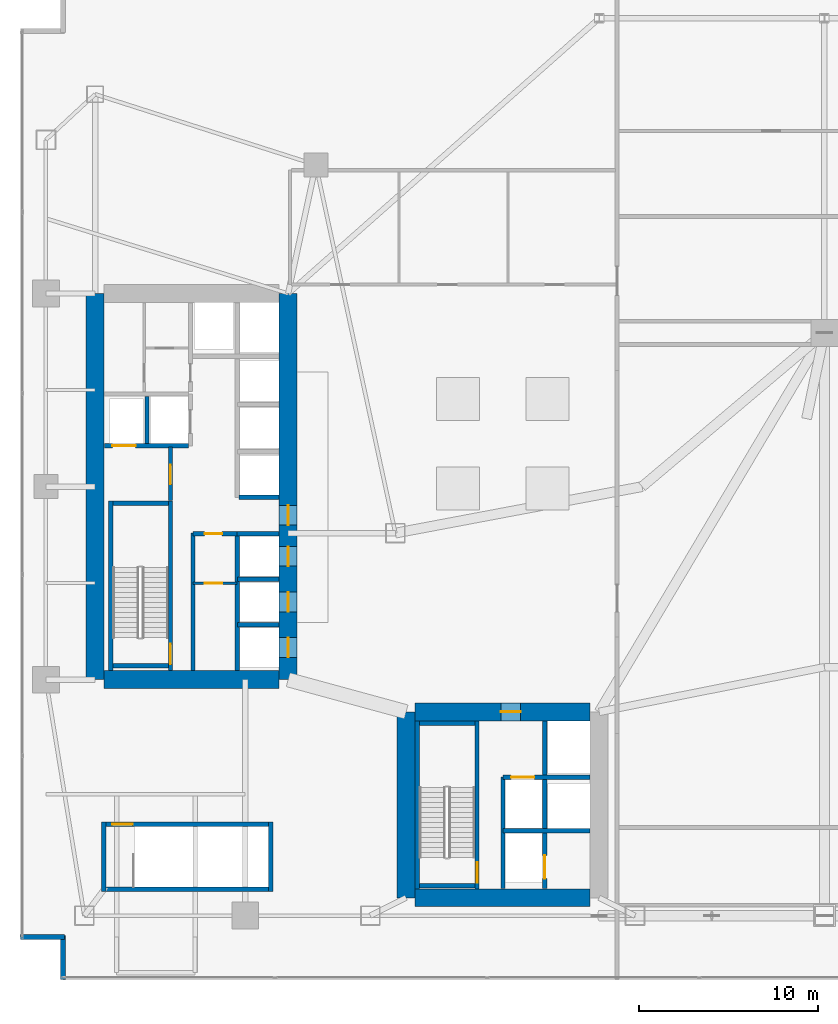
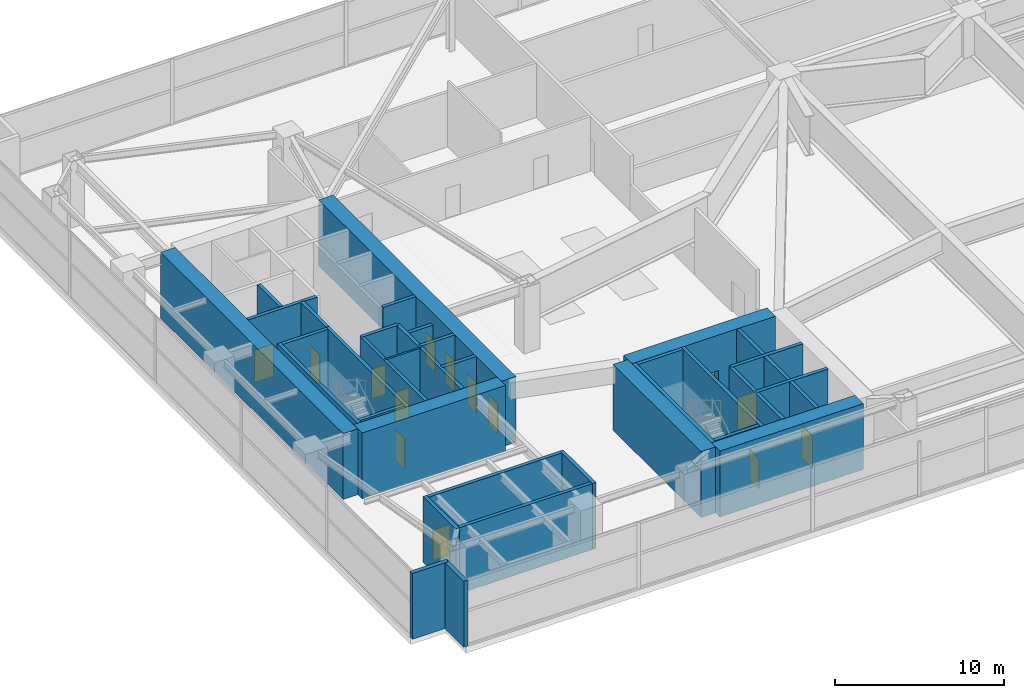
# One storey, part 31 of 36: 35 walls, 14 doors, 14 openings.
"""IFC4 building model written with IfcOpenShell, lengths in metres."""

import ifcopenshell
import ifcopenshell.guid

model = None  # the IFC model being written
_history = None  # IfcOwnerHistory: only IFC2X3 demands one
_inside = {}  # id of a spatial element -> (the spatial element, [elements in it])
_under = {}  # id of a project, library or spatial element -> (it, [spatial elements below it])
_declared = {}  # id of a project -> (the project, [libraries it declares])
_typed = {}  # id of a type object -> (the type object, [elements of that type])
_made_of = {}  # id of a material, layer set ... -> (it, [elements and type objects made of it])


def new_model(schema):
    """Start an empty IFC model of exactly this schema.

    Asked for "IFC4X3", IfcOpenShell would pick the latest addendum, in which some entities
    have other attributes; the version numbers below select the first issue.
    IFC2X3 requires an IfcOwnerHistory on every rooted entity: one is made here for all.
    """
    global model, _history
    if schema == "IFC4X3":
        model = ifcopenshell.file(schema_version=(4, 3, 0, 0))
    else:
        model = ifcopenshell.file(schema=schema)
    _inside.clear()
    _under.clear()
    _declared.clear()
    _typed.clear()
    _made_of.clear()
    _history = None
    if model.schema == "IFC2X3":
        org = make("IfcOrganization", Name="unknown")
        user = make(
            "IfcPersonAndOrganization",
            ThePerson=make("IfcPerson", FamilyName="unknown"),
            TheOrganization=org,
        )
        app = make(
            "IfcApplication",
            ApplicationDeveloper=org,
            Version="unknown",
            ApplicationFullName="unknown",
            ApplicationIdentifier="unknown",
        )
        _history = make(
            "IfcOwnerHistory",
            OwningUser=user,
            OwningApplication=app,
            ChangeAction="ADDED",
            CreationDate=0,
        )
    return model


def make(cls, **values):
    """One entity of the class cls with the attributes given. An attribute that is None is left unset."""
    return model.create_entity(
        cls, **{name: value for name, value in values.items() if value is not None}
    )


def rooted(cls, **values):
    """An entity with a GlobalId (a new one), such as an element, a storey or a relation."""
    return make(cls, GlobalId=ifcopenshell.guid.new(), OwnerHistory=_history, **values)


def si_unit(unit_type, name, prefix=None):
    """IfcSIUnit, for example si_unit("LENGTHUNIT", "METRE", prefix="MILLI")."""
    return make("IfcSIUnit", UnitType=unit_type, Prefix=prefix, Name=name)


def assignment(units):
    """IfcUnitAssignment: the units of a project."""
    return None if units is None else make("IfcUnitAssignment", Units=units)


def point(xyz):
    """IfcCartesianPoint."""
    return None if xyz is None else make("IfcCartesianPoint", Coordinates=xyz)


def direction(xyz):
    """IfcDirection."""
    return None if xyz is None else make("IfcDirection", DirectionRatios=xyz)


def frame(location, z_axis=None, x_axis=None):
    """IfcAxis2Placement3D, a coordinate frame: its origin and axes. An axis left out is left unset."""
    return make(
        "IfcAxis2Placement3D",
        Location=point(location),
        Axis=direction(z_axis),
        RefDirection=direction(x_axis),
    )


def frame_2d(location, x_axis=None):
    """IfcAxis2Placement2D, a coordinate frame in the plane: its origin and x axis."""
    return make(
        "IfcAxis2Placement2D", Location=point(location), RefDirection=direction(x_axis)
    )


def origin():
    """The frame at (0, 0, 0) with its axes left unset."""
    return frame((0.0, 0.0, 0.0))


def place(relative_to, where):
    """IfcLocalPlacement: puts the frame where relative to a parent placement (None: the world)."""
    return make(
        "IfcLocalPlacement", PlacementRelTo=relative_to, RelativePlacement=where
    )


def context(
    kind, dimensions, precision=None, world=None, true_north=None, identifier=None
):
    """IfcGeometricRepresentationContext, for example the 3D "Model" context."""
    return make(
        "IfcGeometricRepresentationContext",
        ContextIdentifier=identifier,
        ContextType=kind,
        CoordinateSpaceDimension=dimensions,
        Precision=precision,
        WorldCoordinateSystem=world,
        TrueNorth=true_north,
    )


def subcontext(parent, identifier, kind, view, scale=None):
    """IfcGeometricRepresentationSubContext, for example "Body" below "Model"."""
    return make(
        "IfcGeometricRepresentationSubContext",
        ContextIdentifier=identifier,
        ContextType=kind,
        ParentContext=parent,
        TargetScale=scale,
        TargetView=view,
    )


def project(units=None, contexts=None):
    """IfcProject with its units and contexts."""
    return rooted(
        "IfcProject",
        Name="project",
        RepresentationContexts=contexts,
        UnitsInContext=assignment(units),
    )


def spatial(cls, under=None, at=None, **own):
    """A site, building, storey or space (cls), placed at a placement, below another one or the project."""
    s = rooted(cls, ObjectPlacement=at, **own)
    if under is not None:
        _under.setdefault(under.id(), (under, []))[1].append(s)
    return s


def profile(cls, at=None, kind="AREA", **sizes):
    """A parametric profile (cls). Its sizes go by their IFC names, for example OverallWidth=200.0."""
    return make(cls, ProfileType=kind, Position=at, **sizes)


def rectangle(**sizes):
    """IfcRectangleProfileDef."""
    return profile("IfcRectangleProfileDef", **sizes)


def extrude(swept, where, along, depth):
    """IfcExtrudedAreaSolid: the profile swept, set in the frame where, extruded along a direction by depth."""
    return make(
        "IfcExtrudedAreaSolid",
        SweptArea=swept,
        Position=where,
        ExtrudedDirection=direction(along),
        Depth=depth,
    )


def shape(context_of_items, identifier, shape_type, items):
    """IfcShapeRepresentation: the items that make up one representation, for example the "Body"."""
    return make(
        "IfcShapeRepresentation",
        ContextOfItems=context_of_items,
        RepresentationIdentifier=identifier,
        RepresentationType=shape_type,
        Items=items,
    )


def material(Name=None, Category=None):
    """IfcMaterial."""
    return make("IfcMaterial", Name=Name, Category=Category)


def layer(
    of_material, thickness, ventilated=None, Name=None, Category=None, Priority=None
):
    """IfcMaterialLayer: one layer of a wall or slab, of a material (None: an air gap)."""
    return make(
        "IfcMaterialLayer",
        Material=of_material,
        LayerThickness=thickness,
        IsVentilated=ventilated,
        Name=Name,
        Category=Category,
        Priority=Priority,
    )


def layer_set(layers, Name=None):
    """IfcMaterialLayerSet."""
    return make("IfcMaterialLayerSet", MaterialLayers=layers, LayerSetName=Name)


def made_of(thing, what):
    """Note that an element or type object is made of a material, layer set ...; save() writes the relation."""
    if what is not None:
        _made_of.setdefault(what.id(), (what, []))[1].append(thing)
    return thing


def type_object(cls, material=None, **own):
    """A type object (cls), such as IfcWallType, which elements share."""
    return made_of(rooted(cls, **own), material)


def element(
    cls,
    number,
    at=None,
    inside=None,
    cuts=None,
    type_object=None,
    material=None,
    context=None,
    identifier="Body",
    shape_type=None,
    held_by="IfcProductDefinitionShape",
    body=None,
    shapes=None,
    **own,
):
    """One element of the class cls, such as IfcWall. Its Tag is "e" and its number.

    at: its placement. inside: the storey or other place that contains it. cuts: it is an
    opening in that element (IfcRelVoidsElement). A single representation is given by context,
    identifier, shape_type and body (its items); several are given by shapes. held_by: the class
    of the entity that holds the representations. save() writes the other relations.
    """
    e = rooted(cls, Tag="e%d" % number, ObjectPlacement=at, **own)
    if body is not None:
        shapes = [shape(context, identifier, shape_type, body)]
    if shapes is not None:
        e.Representation = make(held_by, Representations=shapes)
    if inside is not None:
        _inside.setdefault(inside.id(), (inside, []))[1].append(e)
    if cuts is not None:
        rooted(
            "IfcRelVoidsElement", RelatingBuildingElement=cuts, RelatedOpeningElement=e
        )
    if type_object is not None:
        _typed.setdefault(type_object.id(), (type_object, []))[1].append(e)
    return made_of(e, material)


def fill(opening, filler):
    """IfcRelFillsElement: the door or window that sits in an opening."""
    return rooted(
        "IfcRelFillsElement",
        RelatingOpeningElement=opening,
        RelatedBuildingElement=filler,
    )


def aggregate(whole, parts):
    """IfcRelAggregates: a whole, such as a stair, and the parts it consists of."""
    return rooted("IfcRelAggregates", RelatingObject=whole, RelatedObjects=parts)


def save(model, path):
    """Write the relations noted so far, then the file.

    IfcRelAggregates (storeys below a building ...), IfcRelContainedInSpatialStructure (elements
    in a storey), IfcRelDefinesByType, IfcRelAssociatesMaterial and IfcRelDeclares: one each for
    every whole, place, type object, material and project.
    """
    for whole, parts in _under.values():
        aggregate(whole, parts)
    for where, things in _inside.values():
        rooted(
            "IfcRelContainedInSpatialStructure",
            RelatedElements=things,
            RelatingStructure=where,
        )
    for kind, things in _typed.values():
        rooted("IfcRelDefinesByType", RelatedObjects=things, RelatingType=kind)
    for what, things in _made_of.values():
        rooted("IfcRelAssociatesMaterial", RelatedObjects=things, RelatingMaterial=what)
    for by, libraries in _declared.values():
        rooted("IfcRelDeclares", RelatingContext=by, RelatedDefinitions=libraries)
    model.write(path)


model = new_model("IFC4")

# Units and contexts
model_context = context("Model", 3, precision=1e-05, world=origin(), true_north=direction((0.0, 1.0)))
body_context = subcontext(model_context, "Body", "Model", "MODEL_VIEW")
ifc_project = project(units=[si_unit("LENGTHUNIT", "METRE"), si_unit("AREAUNIT", "SQUARE_METRE"), si_unit("VOLUMEUNIT", "CUBIC_METRE"), si_unit("PLANEANGLEUNIT", "RADIAN"), si_unit("MASSUNIT", "GRAM", prefix="KILO")], contexts=[model_context])

# Site, building, storey
site_placement = place(None, origin())
site = spatial("IfcSite", under=ifc_project, at=site_placement, CompositionType="ELEMENT")
building_placement = place(site_placement, origin())
building = spatial("IfcBuilding", under=site, at=building_placement, Name="Calvorn Quay Hotel", CompositionType="ELEMENT")
storey_placement = place(building_placement, frame((0.0, 0.0, 22.0)))
storey = spatial("IfcBuildingStorey", under=building, at=storey_placement, Name="L04", CompositionType="ELEMENT", Elevation=22.0)

# Wall
ifc_material_1 = material(Name="Concrete C60", Category="concrete")
ifc_layer_1 = layer(ifc_material_1, 1.0)
ifc_layer_set_1 = layer_set([ifc_layer_1], Name="WL-CORE-1000")
wall_type_1 = type_object("IfcWallType", Name="WL-CORE-1000", PredefinedType="SHEAR", material=ifc_layer_set_1)
wall_1_placement = place(storey_placement, frame((4.199951171875, 16.800048828125, 0.0), z_axis=(0.0, 0.0, 1.0), x_axis=(0.0, 1.0, 0.0)))
element("IfcWall", 1, at=wall_1_placement, inside=storey, type_object=wall_type_1, Name="West Core Shear Wall W (L04)", PredefinedType="SHEAR", context=body_context, shape_type="SweptSolid", body=[
    extrude(rectangle(XDim=21.599853515625, YDim=1.0, at=frame_2d((10.7998046875, 0.0))), origin(), (0.0, 0.0, 1.0), 4.760009765625),
])

# Wall, openings, doors
wall_2_placement = place(storey_placement, frame((15.0, 16.800048828125, 0.0), z_axis=(0.0, 0.0, 1.0), x_axis=(0.0, 1.0, 0.0)))
wall_2 = element("IfcWall", 2, at=wall_2_placement, inside=storey, type_object=wall_type_1, Name="West Core Shear Wall E (L04)", PredefinedType="SHEAR", context=body_context, shape_type="SweptSolid", body=[
    extrude(rectangle(XDim=21.599853515625, YDim=1.0, at=frame_2d((10.7998046875, 0.0))), origin(), (0.0, 0.0, 1.0), 4.760009765625),
])
opening_1_placement = place(wall_2_placement, frame((8.64990234375, 0.0, 0.0)))
opening_1 = element("IfcOpeningElement", 3, at=opening_1_placement, cuts=wall_2, Name="Opening D-L04-CW1", PredefinedType="OPENING", context=body_context, shape_type="SweptSolid", body=[
    extrude(rectangle(XDim=1.10009765625, YDim=2.199951171875, at=frame_2d((0.550048828125, 1.10009765625))), frame((0.0, 0.510009765625, 0.0), z_axis=(0.0, -1.0, 0.0), x_axis=(1.0, 0.0, 0.0)), (0.0, 0.0, 1.0), 1.02001953125),
])
opening_2_placement = place(wall_2_placement, frame((1.25, 0.0, 0.0)))
opening_2 = element("IfcOpeningElement", 4, at=opening_2_placement, cuts=wall_2, Name="Opening LD-L04-L1", PredefinedType="OPENING", context=body_context, shape_type="SweptSolid", body=[
    extrude(rectangle(XDim=1.10009765625, YDim=2.199951171875, at=frame_2d((0.550048828125, 1.10009765625))), frame((0.0, 0.510009765625, 0.0), z_axis=(0.0, -1.0, 0.0), x_axis=(1.0, 0.0, 0.0)), (0.0, 0.0, 1.0), 1.02001953125),
])
opening_3_placement = place(wall_2_placement, frame((3.800048828125, 0.0, 0.0)))
opening_3 = element("IfcOpeningElement", 5, at=opening_3_placement, cuts=wall_2, Name="Opening LD-L04-L2", PredefinedType="OPENING", context=body_context, shape_type="SweptSolid", body=[
    extrude(rectangle(XDim=1.10009765625, YDim=2.199951171875, at=frame_2d((0.550048828125, 1.10009765625))), frame((0.0, 0.510009765625, 0.0), z_axis=(0.0, -1.0, 0.0), x_axis=(1.0, 0.0, 0.0)), (0.0, 0.0, 1.0), 1.02001953125),
])
opening_4_placement = place(wall_2_placement, frame((6.35009765625, 0.0, 0.0)))
opening_4 = element("IfcOpeningElement", 6, at=opening_4_placement, cuts=wall_2, Name="Opening LD-L04-L3", PredefinedType="OPENING", context=body_context, shape_type="SweptSolid", body=[
    extrude(rectangle(XDim=1.10009765625, YDim=2.199951171875, at=frame_2d((0.550048828125, 1.10009765625))), frame((0.0, 0.510009765625, 0.0), z_axis=(0.0, -1.0, 0.0), x_axis=(1.0, 0.0, 0.0)), (0.0, 0.0, 1.0), 1.02001953125),
])
ifc_material_2 = material(Name="Smoke-Sealed Steel Class A Fire Door", Category="steel")
door_type_1 = type_object("IfcDoorType", Name="DR-FFLOBBY-1100", OperationType="NOTDEFINED", PredefinedType="DOOR", material=ifc_material_2)
door_1_placement = place(opening_1_placement, origin())
door_1 = element("IfcDoor", 7, at=door_1_placement, inside=storey, type_object=door_type_1, Name="West Core Vestibule Fire Door (L04)", OperationType="SINGLE_SWING_LEFT", OverallHeight=2.199951171875, OverallWidth=1.10009765625, PredefinedType="DOOR", context=body_context, shape_type="SweptSolid", body=[
    extrude(rectangle(XDim=1.10009765625, YDim=2.199951171875, at=frame_2d((0.550048828125, 1.10009765625))), frame((0.0, 0.02490234375, 0.0), z_axis=(0.0, -1.0, 0.0), x_axis=(1.0, 0.0, 0.0)), (0.0, 0.0, 1.0), 0.050048828125),
])
fill(opening_1, door_1)
ifc_material_3 = material(Name="Brushed Stainless Steel Sliding Lift Landing Door", Category="steel")
door_type_2 = type_object("IfcDoorType", Name="DR-LIFT-PASS-1100", OperationType="NOTDEFINED", PredefinedType="DOOR", material=ifc_material_3)
door_2_placement = place(opening_2_placement, origin())
door_2 = element("IfcDoor", 8, at=door_2_placement, inside=storey, type_object=door_type_2, Name="Low-Rise Lift PL-L1 Landing Door (L04)", OperationType="DOUBLE_DOOR_SLIDING", OverallHeight=2.199951171875, OverallWidth=1.10009765625, PredefinedType="DOOR", context=body_context, shape_type="SweptSolid", body=[
    extrude(rectangle(XDim=1.10009765625, YDim=2.199951171875, at=frame_2d((0.550048828125, 1.10009765625))), frame((0.0, 0.02490234375, 0.0), z_axis=(0.0, -1.0, 0.0), x_axis=(1.0, 0.0, 0.0)), (0.0, 0.0, 1.0), 0.050048828125),
])
fill(opening_2, door_2)
door_3_placement = place(opening_3_placement, origin())
door_3 = element("IfcDoor", 9, at=door_3_placement, inside=storey, type_object=door_type_2, Name="Low-Rise Lift PL-L2 Landing Door (L04)", OperationType="DOUBLE_DOOR_SLIDING", OverallHeight=2.199951171875, OverallWidth=1.10009765625, PredefinedType="DOOR", context=body_context, shape_type="SweptSolid", body=[
    extrude(rectangle(XDim=1.10009765625, YDim=2.199951171875, at=frame_2d((0.550048828125, 1.10009765625))), frame((0.0, 0.02490234375, 0.0), z_axis=(0.0, -1.0, 0.0), x_axis=(1.0, 0.0, 0.0)), (0.0, 0.0, 1.0), 0.050048828125),
])
fill(opening_3, door_3)
door_4_placement = place(opening_4_placement, origin())
door_4 = element("IfcDoor", 10, at=door_4_placement, inside=storey, type_object=door_type_2, Name="Low-Rise Lift PL-L3 Landing Door (L04)", OperationType="DOUBLE_DOOR_SLIDING", OverallHeight=2.199951171875, OverallWidth=1.10009765625, PredefinedType="DOOR", context=body_context, shape_type="SweptSolid", body=[
    extrude(rectangle(XDim=1.10009765625, YDim=2.199951171875, at=frame_2d((0.550048828125, 1.10009765625))), frame((0.0, 0.02490234375, 0.0), z_axis=(0.0, -1.0, 0.0), x_axis=(1.0, 0.0, 0.0)), (0.0, 0.0, 1.0), 0.050048828125),
])
fill(opening_4, door_4)

# Walls
wall_3_placement = place(storey_placement, frame((4.699951171875, 16.800048828125, 0.0), z_axis=(0.0, 0.0, 1.0), x_axis=(1.0, 0.0, 0.0)))
element("IfcWall", 11, at=wall_3_placement, inside=storey, type_object=wall_type_1, Name="West Core Shear Wall S (L04)", PredefinedType="SHEAR", context=body_context, shape_type="SweptSolid", body=[
    extrude(rectangle(XDim=9.800048828125, YDim=1.0, at=frame_2d((4.89990234375, 0.0))), origin(), (0.0, 0.0, 1.0), 4.760009765625),
])
wall_4_placement = place(storey_placement, frame((21.60009765625, 4.60009765625, 0.0), z_axis=(0.0, 0.0, 1.0), x_axis=(0.0, 1.0, 0.0)))
element("IfcWall", 12, at=wall_4_placement, inside=storey, type_object=wall_type_1, Name="East Core Shear Wall W (L04)", PredefinedType="SHEAR", context=body_context, shape_type="SweptSolid", body=[
    extrude(rectangle(XDim=10.39990234375, YDim=1.0, at=frame_2d((5.199951171875, 0.0))), origin(), (0.0, 0.0, 1.0), 4.760009765625),
])

# Wall, opening, door
wall_5_placement = place(storey_placement, frame((22.10009765625, 15.0, 0.0), z_axis=(0.0, 0.0, 1.0), x_axis=(1.0, 0.0, 0.0)))
wall_5 = element("IfcWall", 13, at=wall_5_placement, inside=storey, type_object=wall_type_1, Name="East Core Shear Wall N (L04)", PredefinedType="SHEAR", context=body_context, shape_type="SweptSolid", body=[
    extrude(rectangle(XDim=9.7998046875, YDim=1.0, at=frame_2d((4.89990234375, 0.0))), origin(), (0.0, 0.0, 1.0), 4.760009765625),
])
opening_5_placement = place(wall_5_placement, frame((4.800048828125, 0.0, 0.0)))
opening_5 = element("IfcOpeningElement", 14, at=opening_5_placement, cuts=wall_5, Name="Opening D-L04-FLE", PredefinedType="OPENING", context=body_context, shape_type="SweptSolid", body=[
    extrude(rectangle(XDim=1.10009765625, YDim=2.199951171875, at=frame_2d((0.550048828125, 1.10009765625))), frame((0.0, 0.510009765625, 0.0), z_axis=(0.0, -1.0, 0.0), x_axis=(1.0, 0.0, 0.0)), (0.0, 0.0, 1.0), 1.02001953125),
])
door_5_placement = place(opening_5_placement, origin())
door_5 = element("IfcDoor", 15, at=door_5_placement, inside=storey, type_object=door_type_1, Name="East Firefighting Lobby Fire Door (L04)", OperationType="SINGLE_SWING_RIGHT", OverallHeight=2.199951171875, OverallWidth=1.10009765625, PredefinedType="DOOR", context=body_context, shape_type="SweptSolid", body=[
    extrude(rectangle(XDim=1.10009765625, YDim=2.199951171875, at=frame_2d((0.550048828125, 1.10009765625))), frame((0.0, 0.02490234375, 0.0), z_axis=(0.0, -1.0, 0.0), x_axis=(1.0, 0.0, 0.0)), (0.0, 0.0, 1.0), 0.050048828125),
])
fill(opening_5, door_5)

# Wall
wall_6_placement = place(storey_placement, frame((22.10009765625, 4.60009765625, 0.0), z_axis=(0.0, 0.0, 1.0), x_axis=(1.0, 0.0, 0.0)))
element("IfcWall", 16, at=wall_6_placement, inside=storey, type_object=wall_type_1, Name="East Core Shear Wall S (L04)", PredefinedType="SHEAR", context=body_context, shape_type="SweptSolid", body=[
    extrude(rectangle(XDim=9.7998046875, YDim=1.0, at=frame_2d((4.89990234375, 0.0))), origin(), (0.0, 0.0, 1.0), 4.760009765625),
])

# Wall, opening, door
ifc_material_4 = material(Name="Moisture-Resistant Tile-Backed Partition")
ifc_layer_2 = layer(ifc_material_4, 0.125)
ifc_layer_set_2 = layer_set([ifc_layer_2], Name="WL-ENSUITE-125")
wall_type_2 = type_object("IfcWallType", Name="WL-ENSUITE-125", PredefinedType="PARTITIONING", material=ifc_layer_set_2)
wall_7_placement = place(storey_placement, frame((9.679931640625, 22.199951171875, 0.0), z_axis=(0.0, 0.0, 1.0), x_axis=(1.0, 0.0, 0.0)))
wall_7 = element("IfcWall", 17, at=wall_7_placement, inside=storey, type_object=wall_type_2, Name="Partition Wall L04-WL-CWW-SER-V", PredefinedType="PARTITIONING", context=body_context, shape_type="SweptSolid", body=[
    extrude(rectangle(XDim=2.469970703125, YDim=0.125, at=frame_2d((1.23486328125, 0.0))), origin(), (0.0, 0.0, 1.0), 4.760009765625),
])
opening_6_placement = place(wall_7_placement, frame((0.64990234375, 0.0, 0.0)))
opening_6 = element("IfcOpeningElement", 18, at=opening_6_placement, cuts=wall_7, Name="Opening D-L04-CSV", PredefinedType="OPENING", context=body_context, shape_type="SweptSolid", body=[
    extrude(rectangle(XDim=0.97998046875, YDim=2.14990234375, at=frame_2d((0.489990234375, 1.074951171875))), frame((0.0, 0.072509765625, 0.0), z_axis=(0.0, -1.0, 0.0), x_axis=(1.0, 0.0, 0.0)), (0.0, 0.0, 1.0), 0.14501953125),
])
ifc_material_5 = material(Name="Painted Steel Housekeeping/Riser Fire Door", Category="steel")
door_type_3 = type_object("IfcDoorType", Name="DR-SERVICE-980", OperationType="NOTDEFINED", PredefinedType="DOOR", material=ifc_material_5)
door_6_placement = place(opening_6_placement, origin())
door_6 = element("IfcDoor", 19, at=door_6_placement, inside=storey, type_object=door_type_3, Name="Core Linen Closet Door (L04)", OperationType="SINGLE_SWING_RIGHT", OverallHeight=2.14990234375, OverallWidth=0.97998046875, PredefinedType="DOOR", context=body_context, shape_type="SweptSolid", body=[
    extrude(rectangle(XDim=0.97998046875, YDim=2.14990234375, at=frame_2d((0.489990234375, 1.074951171875))), frame((0.0, 0.02490234375, 0.0), z_axis=(0.0, -1.0, 0.0), x_axis=(1.0, 0.0, 0.0)), (0.0, 0.0, 1.0), 0.050048828125),
])
fill(opening_6, door_6)

# Walls
ifc_material_6 = material(Name="Concrete C40", Category="concrete")
ifc_layer_3 = layer(ifc_material_6, 0.320068359375)
ifc_layer_set_3 = layer_set([ifc_layer_3], Name="WL-EXT-SPANDREL-320")
wall_type_3 = type_object("IfcWallType", Name="WL-EXT-SPANDREL-320", PredefinedType="SOLIDWALL", material=ifc_layer_set_3)
for number, where, z_axis, x_axis, name in (
    (20, (0.0400390625, 2.39990234375, 0.0), (0.0, 0.0, 1.0), (1.0, 0.0, 0.0), "Podium Notched Corner Wall L04-SW1"),
    (21, (2.39990234375, 2.5, 0.0), (0.0, 0.0, 1.0), (0.0, -1.0, 0.0), "Podium Notched Corner Wall L04-SW2"),
):
    element("IfcWall", number, at=place(storey_placement, frame(where, z_axis=z_axis, x_axis=x_axis)), inside=storey, type_object=wall_type_3, Name=name, PredefinedType="SOLIDWALL", context=body_context, shape_type="SweptSolid", body=[
        extrude(rectangle(XDim=2.4599609375, YDim=0.280029296875, at=frame_2d((1.22998046875, 0.0))), origin(), (0.0, 0.0, 1.0), 4.760009765625),
    ])
ifc_material_7 = material(Name="Autoclaved Aerated Masonry Block", Category="masonry")
ifc_layer_4 = layer(ifc_material_7, 0.219970703125)
ifc_layer_set_4 = layer_set([ifc_layer_4], Name="WL-LOBBY-FIRE-220")
wall_type_4 = type_object("IfcWallType", Name="WL-LOBBY-FIRE-220", PredefinedType="SOLIDWALL", material=ifc_layer_set_4)
wall_8_placement = place(storey_placement, frame((9.679931640625, 17.320068359375, 0.0), z_axis=(0.0, 0.0, 1.0), x_axis=(0.0, 1.0, 0.0)))
element("IfcWall", 22, at=wall_8_placement, inside=storey, type_object=wall_type_4, Name="Partition Wall L04-WL-CWW-STW-HALL-E", PredefinedType="SOLIDWALL", context=body_context, shape_type="SweptSolid", body=[
    extrude(rectangle(XDim=7.679931640625, YDim=0.219970703125, at=frame_2d((3.83984375, 0.0))), origin(), (0.0, 0.0, 1.0), 4.760009765625),
])
ifc_material_8 = material(Name="Concrete C40", Category="concrete")
ifc_layer_5 = layer(ifc_material_8, 0.239990234375)
ifc_layer_set_5 = layer_set([ifc_layer_5], Name="WL-SHAFT-240")
wall_type_5 = type_object("IfcWallType", Name="WL-SHAFT-240", PredefinedType="SOLIDWALL", material=ifc_layer_set_5)
wall_9_placement = place(storey_placement, frame((5.080078125, 17.300048828125, 0.0), z_axis=(0.0, 0.0, 1.0), x_axis=(0.0, 1.0, 0.0)))
element("IfcWall", 23, at=wall_9_placement, inside=storey, type_object=wall_type_5, Name="Stair STW Shaft Wall W (L04)", PredefinedType="SOLIDWALL", context=body_context, shape_type="SweptSolid", body=[
    extrude(rectangle(XDim=9.489990234375, YDim=0.239990234375, at=frame_2d((4.7451171875, 0.0))), origin(), (0.0, 0.0, 1.0), 4.760009765625),
])

# Wall, opening, door
wall_10_placement = place(storey_placement, frame((8.419921875, 17.300048828125, 0.0), z_axis=(0.0, 0.0, 1.0), x_axis=(0.0, 1.0, 0.0)))
wall_10 = element("IfcWall", 24, at=wall_10_placement, inside=storey, type_object=wall_type_5, Name="Stair STW Shaft Wall E (L04)", PredefinedType="SOLIDWALL", context=body_context, shape_type="SweptSolid", body=[
    extrude(rectangle(XDim=9.489990234375, YDim=0.239990234375, at=frame_2d((4.7451171875, 0.0))), origin(), (0.0, 0.0, 1.0), 4.760009765625),
])
opening_7_placement = place(wall_10_placement, frame((0.35009765625, 0.0, 0.0)))
opening_7 = element("IfcOpeningElement", 25, at=opening_7_placement, cuts=wall_10, Name="Opening D-L04-STW", PredefinedType="OPENING", context=body_context, shape_type="SweptSolid", body=[
    extrude(rectangle(XDim=1.14990234375, YDim=2.199951171875, at=frame_2d((0.574951171875, 1.10009765625))), frame((0.0, 0.1298828125, 0.0), z_axis=(0.0, -1.0, 0.0), x_axis=(1.0, 0.0, 0.0)), (0.0, 0.0, 1.0), 0.260009765625),
])
ifc_material_9 = material(Name="Galvanised Steel Class A Fire Door", Category="steel")
door_type_4 = type_object("IfcDoorType", Name="DR-STAIR-SMOKE-1150", OperationType="NOTDEFINED", PredefinedType="DOOR", material=ifc_material_9)
door_7_placement = place(opening_7_placement, origin())
door_7 = element("IfcDoor", 26, at=door_7_placement, inside=storey, type_object=door_type_4, Name="Stair ST-W Fire Door (L04)", OperationType="SINGLE_SWING_LEFT", OverallHeight=2.199951171875, OverallWidth=1.14990234375, PredefinedType="DOOR", context=body_context, shape_type="SweptSolid", body=[
    extrude(rectangle(XDim=1.14990234375, YDim=2.199951171875, at=frame_2d((0.574951171875, 1.10009765625))), frame((0.0, 0.02490234375, 0.0), z_axis=(0.0, -1.0, 0.0), x_axis=(1.0, 0.0, 0.0)), (0.0, 0.0, 1.0), 0.050048828125),
])
fill(opening_7, door_7)

# Walls
for number, where, z_axis, x_axis, name in (
    (27, (5.199951171875, 17.580078125, 0.0), (0.0, 0.0, 1.0), (1.0, 0.0, 0.0), "Stair STW Shaft Wall S (L04)"),
    (28, (5.199951171875, 26.669921875, 0.0), (0.0, 0.0, 1.0), (1.0, 0.0, 0.0), "Stair STW Shaft Wall N (L04)"),
):
    element("IfcWall", number, at=place(storey_placement, frame(where, z_axis=z_axis, x_axis=x_axis)), inside=storey, type_object=wall_type_5, Name=name, PredefinedType="SOLIDWALL", context=body_context, shape_type="SweptSolid", body=[
        extrude(rectangle(XDim=3.10009765625, YDim=0.239990234375, at=frame_2d((1.550048828125, 0.0))), origin(), (0.0, 0.0, 1.0), 4.760009765625),
    ])
wall_11_placement = place(storey_placement, frame((22.22998046875, 5.10009765625, 0.0), z_axis=(0.0, 0.0, 1.0), x_axis=(0.0, 1.0, 0.0)))
element("IfcWall", 29, at=wall_11_placement, inside=storey, type_object=wall_type_5, Name="Stair STE Shaft Wall W (L04)", PredefinedType="SOLIDWALL", context=body_context, shape_type="SweptSolid", body=[
    extrude(rectangle(XDim=9.389892578125, YDim=0.239990234375, at=frame_2d((4.69482421875, 0.0))), origin(), (0.0, 0.0, 1.0), 4.760009765625),
])

# Wall, opening, door
wall_12_placement = place(storey_placement, frame((25.570068359375, 5.10009765625, 0.0), z_axis=(0.0, 0.0, 1.0), x_axis=(0.0, 1.0, 0.0)))
wall_12 = element("IfcWall", 30, at=wall_12_placement, inside=storey, type_object=wall_type_5, Name="Stair STE Shaft Wall E (L04)", PredefinedType="SOLIDWALL", context=body_context, shape_type="SweptSolid", body=[
    extrude(rectangle(XDim=9.389892578125, YDim=0.239990234375, at=frame_2d((4.69482421875, 0.0))), origin(), (0.0, 0.0, 1.0), 4.760009765625),
])
opening_8_placement = place(wall_12_placement, frame((0.35009765625, 0.0, 0.0)))
opening_8 = element("IfcOpeningElement", 31, at=opening_8_placement, cuts=wall_12, Name="Opening D-L04-STE", PredefinedType="OPENING", context=body_context, shape_type="SweptSolid", body=[
    extrude(rectangle(XDim=1.14990234375, YDim=2.199951171875, at=frame_2d((0.574951171875, 1.10009765625))), frame((0.0, 0.1298828125, 0.0), z_axis=(0.0, -1.0, 0.0), x_axis=(1.0, 0.0, 0.0)), (0.0, 0.0, 1.0), 0.260009765625),
])
door_8_placement = place(opening_8_placement, origin())
door_8 = element("IfcDoor", 32, at=door_8_placement, inside=storey, type_object=door_type_4, Name="Stair ST-E Fire Door (L04)", OperationType="SINGLE_SWING_RIGHT", OverallHeight=2.199951171875, OverallWidth=1.14990234375, PredefinedType="DOOR", context=body_context, shape_type="SweptSolid", body=[
    extrude(rectangle(XDim=1.14990234375, YDim=2.199951171875, at=frame_2d((0.574951171875, 1.10009765625))), frame((0.0, 0.02490234375, 0.0), z_axis=(0.0, -1.0, 0.0), x_axis=(1.0, 0.0, 0.0)), (0.0, 0.0, 1.0), 0.050048828125),
])
fill(opening_8, door_8)

# Walls
for number, where, z_axis, x_axis, name in (
    (33, (22.35009765625, 5.280029296875, 0.0), (0.0, 0.0, 1.0), (1.0, 0.0, 0.0), "Stair STE Shaft Wall S (L04)"),
    (34, (22.35009765625, 14.3701171875, 0.0), (0.0, 0.0, 1.0), (1.0, 0.0, 0.0), "Stair STE Shaft Wall N (L04)"),
):
    element("IfcWall", number, at=place(storey_placement, frame(where, z_axis=z_axis, x_axis=x_axis)), inside=storey, type_object=wall_type_5, Name=name, PredefinedType="SOLIDWALL", context=body_context, shape_type="SweptSolid", body=[
        extrude(rectangle(XDim=3.099853515625, YDim=0.239990234375, at=frame_2d((1.5498046875, 0.0))), origin(), (0.0, 0.0, 1.0), 4.760009765625),
    ])
for number, where, z_axis, x_axis, name in (
    (35, (4.679931640625, 4.9599609375, 0.0), (0.0, 0.0, 1.0), (0.0, 1.0, 0.0), "Stair STP2 Shaft Wall W (L04)"),
    (36, (14.02001953125, 4.9599609375, 0.0), (0.0, 0.0, 1.0), (0.0, 1.0, 0.0), "Stair STP2 Shaft Wall E (L04)"),
):
    element("IfcWall", number, at=place(storey_placement, frame(where, z_axis=z_axis, x_axis=x_axis)), inside=storey, type_object=wall_type_5, Name=name, PredefinedType="SOLIDWALL", context=body_context, shape_type="SweptSolid", body=[
        extrude(rectangle(XDim=3.880126953125, YDim=0.239990234375, at=frame_2d((1.93994140625, 0.0))), origin(), (0.0, 0.0, 1.0), 4.760009765625),
    ])
wall_13_placement = place(storey_placement, frame((4.800048828125, 5.080078125, 0.0), z_axis=(0.0, 0.0, 1.0), x_axis=(1.0, 0.0, 0.0)))
element("IfcWall", 37, at=wall_13_placement, inside=storey, type_object=wall_type_5, Name="Stair STP2 Shaft Wall S (L04)", PredefinedType="SOLIDWALL", context=body_context, shape_type="SweptSolid", body=[
    extrude(rectangle(XDim=9.099853515625, YDim=0.239990234375, at=frame_2d((4.5498046875, 0.0))), origin(), (0.0, 0.0, 1.0), 4.760009765625),
])

# Wall, opening, door
wall_14_placement = place(storey_placement, frame((4.800048828125, 8.719970703125, 0.0), z_axis=(0.0, 0.0, 1.0), x_axis=(1.0, 0.0, 0.0)))
wall_14 = element("IfcWall", 38, at=wall_14_placement, inside=storey, type_object=wall_type_5, Name="Stair STP2 Shaft Wall N (L04)", PredefinedType="SOLIDWALL", context=body_context, shape_type="SweptSolid", body=[
    extrude(rectangle(XDim=9.099853515625, YDim=0.239990234375, at=frame_2d((4.5498046875, 0.0))), origin(), (0.0, 0.0, 1.0), 4.760009765625),
])
opening_9_placement = place(wall_14_placement, frame((0.35009765625, 0.0, 0.0)))
opening_9 = element("IfcOpeningElement", 39, at=opening_9_placement, cuts=wall_14, Name="Opening D-L04-STP2", PredefinedType="OPENING", context=body_context, shape_type="SweptSolid", body=[
    extrude(rectangle(XDim=1.14990234375, YDim=2.199951171875, at=frame_2d((0.574951171875, 1.10009765625))), frame((0.0, 0.1298828125, 0.0), z_axis=(0.0, -1.0, 0.0), x_axis=(1.0, 0.0, 0.0)), (0.0, 0.0, 1.0), 0.260009765625),
])
door_9_placement = place(opening_9_placement, origin())
door_9 = element("IfcDoor", 40, at=door_9_placement, inside=storey, type_object=door_type_4, Name="Podium Stair ST-P2 Fire Door (L04)", OperationType="SINGLE_SWING_RIGHT", OverallHeight=2.199951171875, OverallWidth=1.14990234375, PredefinedType="DOOR", context=body_context, shape_type="SweptSolid", body=[
    extrude(rectangle(XDim=1.14990234375, YDim=2.199951171875, at=frame_2d((0.574951171875, 1.10009765625))), frame((0.0, 0.02490234375, 0.0), z_axis=(0.0, -1.0, 0.0), x_axis=(1.0, 0.0, 0.0)), (0.0, 0.0, 1.0), 0.050048828125),
])
fill(opening_9, door_9)

# Walls
for number, where, z_axis, x_axis, name in (
    (41, (12.179931640625, 19.875, 0.0), (0.0, 0.0, 1.0), (1.0, 0.0, 0.0), "Lift Hoistway Divider Wall PLL12 (L04)"),
    (42, (12.179931640625, 22.425048828125, 0.0), (0.0, 0.0, 1.0), (1.0, 0.0, 0.0), "Lift Hoistway Divider Wall PLL23 (L04)"),
):
    element("IfcWall", number, at=place(storey_placement, frame(where, z_axis=z_axis, x_axis=x_axis)), inside=storey, type_object=wall_type_5, Name=name, PredefinedType="SOLIDWALL", context=body_context, shape_type="SweptSolid", body=[
        extrude(rectangle(XDim=2.320068359375, YDim=0.239990234375, at=frame_2d((1.16015625, 0.0))), origin(), (0.0, 0.0, 1.0), 4.760009765625),
    ])

# Wall, opening, door
wall_15_placement = place(storey_placement, frame((8.419921875, 26.820068359375, 0.0), z_axis=(0.0, 0.0, 1.0), x_axis=(0.0, 1.0, 0.0)))
wall_15 = element("IfcWall", 43, at=wall_15_placement, inside=storey, type_object=wall_type_5, Name="Partition Wall L04-WL-CWW-FFL-E", PredefinedType="SOLIDWALL", context=body_context, shape_type="SweptSolid", body=[
    extrude(rectangle(XDim=3.0, YDim=0.239990234375, at=frame_2d((1.5, 0.0))), origin(), (0.0, 0.0, 1.0), 4.760009765625),
])
opening_10_placement = place(wall_15_placement, frame((0.89990234375, 0.0, 0.0)))
opening_10 = element("IfcOpeningElement", 44, at=opening_10_placement, cuts=wall_15, Name="Opening D-L04-FLW", PredefinedType="OPENING", context=body_context, shape_type="SweptSolid", body=[
    extrude(rectangle(XDim=1.10009765625, YDim=2.199951171875, at=frame_2d((0.550048828125, 1.10009765625))), frame((0.0, 0.1298828125, 0.0), z_axis=(0.0, -1.0, 0.0), x_axis=(1.0, 0.0, 0.0)), (0.0, 0.0, 1.0), 0.260009765625),
])
door_10_placement = place(opening_10_placement, origin())
door_10 = element("IfcDoor", 45, at=door_10_placement, inside=storey, type_object=door_type_1, Name="West Firefighting Lobby Fire Door (L04)", OperationType="SINGLE_SWING_RIGHT", OverallHeight=2.199951171875, OverallWidth=1.10009765625, PredefinedType="DOOR", context=body_context, shape_type="SweptSolid", body=[
    extrude(rectangle(XDim=1.10009765625, YDim=2.199951171875, at=frame_2d((0.550048828125, 1.10009765625))), frame((0.0, 0.02490234375, 0.0), z_axis=(0.0, -1.0, 0.0), x_axis=(1.0, 0.0, 0.0)), (0.0, 0.0, 1.0), 0.050048828125),
])
fill(opening_10, door_10)

wall_16_placement = place(storey_placement, frame((4.719970703125, 29.8798828125, 0.0), z_axis=(0.0, 0.0, 1.0), x_axis=(1.0, 0.0, 0.0)))
wall_16 = element("IfcWall", 46, at=wall_16_placement, inside=storey, type_object=wall_type_5, Name="Partition Wall L04-WL-CWW-FLW-S", PredefinedType="SOLIDWALL", context=body_context, shape_type="SweptSolid", body=[
    extrude(rectangle(XDim=4.699951171875, YDim=0.239990234375, at=frame_2d((2.35009765625, 0.0))), origin(), (0.0, 0.0, 1.0), 4.760009765625),
])
opening_11_placement = place(wall_16_placement, frame((0.449951171875, 0.0, 0.0)))
opening_11 = element("IfcOpeningElement", 47, at=opening_11_placement, cuts=wall_16, Name="Opening LD-L04-FLW1", PredefinedType="OPENING", context=body_context, shape_type="SweptSolid", body=[
    extrude(rectangle(XDim=1.300048828125, YDim=2.35009765625, at=frame_2d((0.64990234375, 1.175048828125))), frame((0.0, 0.1298828125, 0.0), z_axis=(0.0, -1.0, 0.0), x_axis=(1.0, 0.0, 0.0)), (0.0, 0.0, 1.0), 0.260009765625),
])
ifc_material_10 = material(Name="Champagne-Bronze Sliding Express Lift Landing Door")
door_type_5 = type_object("IfcDoorType", Name="DR-LIFT-SHUTTLE-1300", OperationType="NOTDEFINED", PredefinedType="DOOR", material=ifc_material_10)
door_11_placement = place(opening_11_placement, origin())
door_11 = element("IfcDoor", 48, at=door_11_placement, inside=storey, type_object=door_type_5, Name="Firefighting Lift FL-W1 Landing Door (L04)", OperationType="DOUBLE_DOOR_SLIDING", OverallHeight=2.35009765625, OverallWidth=1.300048828125, PredefinedType="DOOR", context=body_context, shape_type="SweptSolid", body=[
    extrude(rectangle(XDim=1.300048828125, YDim=2.35009765625, at=frame_2d((0.64990234375, 1.175048828125))), frame((0.0, 0.02490234375, 0.0), z_axis=(0.0, -1.0, 0.0), x_axis=(1.0, 0.0, 0.0)), (0.0, 0.0, 1.0), 0.050048828125),
])
fill(opening_11, door_11)

# Walls
wall_17_placement = place(storey_placement, frame((7.10009765625, 30.02001953125, 0.0), z_axis=(0.0, 0.0, 1.0), x_axis=(0.0, 1.0, 0.0)))
element("IfcWall", 49, at=wall_17_placement, inside=storey, type_object=wall_type_5, Name="Partition Wall L04-WL-CWW-FLW-DIV", PredefinedType="SOLIDWALL", context=body_context, shape_type="SweptSolid", body=[
    extrude(rectangle(XDim=2.6298828125, YDim=0.239990234375, at=frame_2d((1.31494140625, 0.0))), origin(), (0.0, 0.0, 1.0), 4.760009765625),
])
wall_18_placement = place(storey_placement, frame((12.14990234375, 17.320068359375, 0.0), z_axis=(0.0, 0.0, 1.0), x_axis=(0.0, 1.0, 0.0)))
element("IfcWall", 50, at=wall_18_placement, inside=storey, type_object=wall_type_5, Name="Partition Wall L04-WL-CWW-PLL-W", PredefinedType="SOLIDWALL", context=body_context, shape_type="SweptSolid", body=[
    extrude(rectangle(XDim=7.64990234375, YDim=0.239990234375, at=frame_2d((3.824951171875, 0.0))), origin(), (0.0, 0.0, 1.0), 4.760009765625),
])

# Wall, opening, door
wall_19_placement = place(storey_placement, frame((9.679931640625, 24.969970703125, 0.0), z_axis=(0.0, 0.0, 1.0), x_axis=(1.0, 0.0, 0.0)))
wall_19 = element("IfcWall", 51, at=wall_19_placement, inside=storey, type_object=wall_type_5, Name="Partition Wall L04-WL-CWW-SER-N", PredefinedType="SOLIDWALL", context=body_context, shape_type="SweptSolid", body=[
    extrude(rectangle(XDim=2.469970703125, YDim=0.239990234375, at=frame_2d((1.23486328125, 0.0))), origin(), (0.0, 0.0, 1.0), 4.760009765625),
])
opening_12_placement = place(wall_19_placement, frame((0.64990234375, 0.0, 0.0)))
opening_12 = element("IfcOpeningElement", 52, at=opening_12_placement, cuts=wall_19, Name="Opening D-L04-CSR", PredefinedType="OPENING", context=body_context, shape_type="SweptSolid", body=[
    extrude(rectangle(XDim=0.97998046875, YDim=2.14990234375, at=frame_2d((0.489990234375, 1.074951171875))), frame((0.0, 0.1298828125, 0.0), z_axis=(0.0, -1.0, 0.0), x_axis=(1.0, 0.0, 0.0)), (0.0, 0.0, 1.0), 0.260009765625),
])
door_12_placement = place(opening_12_placement, origin())
door_12 = element("IfcDoor", 53, at=door_12_placement, inside=storey, type_object=door_type_3, Name="Core Service Closet Door (L04)", OperationType="SINGLE_SWING_LEFT", OverallHeight=2.14990234375, OverallWidth=0.97998046875, PredefinedType="DOOR", context=body_context, shape_type="SweptSolid", body=[
    extrude(rectangle(XDim=0.97998046875, YDim=2.14990234375, at=frame_2d((0.489990234375, 1.074951171875))), frame((0.0, 0.02490234375, 0.0), z_axis=(0.0, -1.0, 0.0), x_axis=(1.0, 0.0, 0.0)), (0.0, 0.0, 1.0), 0.050048828125),
])
fill(opening_12, door_12)

# Walls
wall_20_placement = place(storey_placement, frame((12.14990234375, 24.969970703125, 0.0), z_axis=(0.0, 0.0, 1.0), x_axis=(1.0, 0.0, 0.0)))
element("IfcWall", 54, at=wall_20_placement, inside=storey, type_object=wall_type_5, Name="Partition Wall L04-WL-CWW-PLL-SHN", PredefinedType="SOLIDWALL", context=body_context, shape_type="SweptSolid", body=[
    extrude(rectangle(XDim=2.330078125, YDim=0.239990234375, at=frame_2d((1.1650390625, 0.0))), origin(), (0.0, 0.0, 1.0), 3.93994140625),
])
wall_21_placement = place(storey_placement, frame((12.25, 27.0, 0.0), z_axis=(0.0, 0.0, 1.0), x_axis=(1.0, 0.0, 0.0)))
element("IfcWall", 55, at=wall_21_placement, inside=storey, type_object=wall_type_5, Name="Partition Wall L04-WL-CWW-PLM-S", PredefinedType="SOLIDWALL", context=body_context, shape_type="SweptSolid", body=[
    extrude(rectangle(XDim=2.22998046875, YDim=0.239990234375, at=frame_2d((1.114990234375, 0.0))), origin(), (0.0, 0.0, 1.0), 4.760009765625),
])
wall_22_placement = place(storey_placement, frame((27.02001953125, 5.1201171875, 0.0), z_axis=(0.0, 0.0, 1.0), x_axis=(0.0, 1.0, 0.0)))
element("IfcWall", 56, at=wall_22_placement, inside=storey, type_object=wall_type_5, Name="Partition Wall L04-WL-CWE-SH-W", PredefinedType="SOLIDWALL", context=body_context, shape_type="SweptSolid", body=[
    extrude(rectangle(XDim=6.22998046875, YDim=0.239990234375, at=frame_2d((3.114990234375, 0.0))), origin(), (0.0, 0.0, 1.0), 4.760009765625),
])

# Wall, opening, door
wall_23_placement = place(storey_placement, frame((27.02001953125, 11.35009765625, 0.0), z_axis=(0.0, 0.0, 1.0), x_axis=(1.0, 0.0, 0.0)))
wall_23 = element("IfcWall", 57, at=wall_23_placement, inside=storey, type_object=wall_type_5, Name="Partition Wall L04-WL-CWE-FFL-S", PredefinedType="SOLIDWALL", context=body_context, shape_type="SweptSolid", body=[
    extrude(rectangle(XDim=4.85986328125, YDim=0.239990234375, at=frame_2d((2.429931640625, 0.0))), origin(), (0.0, 0.0, 1.0), 4.760009765625),
])
opening_13_placement = place(wall_23_placement, frame((0.449951171875, 0.0, 0.0)))
opening_13 = element("IfcOpeningElement", 58, at=opening_13_placement, cuts=wall_23, Name="Opening LD-L04-FLE1", PredefinedType="OPENING", context=body_context, shape_type="SweptSolid", body=[
    extrude(rectangle(XDim=1.300048828125, YDim=2.35009765625, at=frame_2d((0.64990234375, 1.175048828125))), frame((0.0, 0.1298828125, 0.0), z_axis=(0.0, -1.0, 0.0), x_axis=(1.0, 0.0, 0.0)), (0.0, 0.0, 1.0), 0.260009765625),
])
door_13_placement = place(opening_13_placement, origin())
door_13 = element("IfcDoor", 59, at=door_13_placement, inside=storey, type_object=door_type_5, Name="Firefighting Lift FL-E1 Landing Door (L04)", OperationType="DOUBLE_DOOR_SLIDING", OverallHeight=2.35009765625, OverallWidth=1.300048828125, PredefinedType="DOOR", context=body_context, shape_type="SweptSolid", body=[
    extrude(rectangle(XDim=1.300048828125, YDim=2.35009765625, at=frame_2d((0.64990234375, 1.175048828125))), frame((0.0, 0.02490234375, 0.0), z_axis=(0.0, -1.0, 0.0), x_axis=(1.0, 0.0, 0.0)), (0.0, 0.0, 1.0), 0.050048828125),
])
fill(opening_13, door_13)

# Wall
wall_24_placement = place(storey_placement, frame((27.02001953125, 8.35009765625, 0.0), z_axis=(0.0, 0.0, 1.0), x_axis=(1.0, 0.0, 0.0)))
element("IfcWall", 60, at=wall_24_placement, inside=storey, type_object=wall_type_5, Name="Partition Wall L04-WL-CWE-SL-N", PredefinedType="SOLIDWALL", context=body_context, shape_type="SweptSolid", body=[
    extrude(rectangle(XDim=4.85986328125, YDim=0.239990234375, at=frame_2d((2.429931640625, 0.0))), origin(), (0.0, 0.0, 1.0), 4.760009765625),
])

# Wall, opening, door
wall_25_placement = place(storey_placement, frame((29.35009765625, 5.1201171875, 0.0), z_axis=(0.0, 0.0, 1.0), x_axis=(0.0, 1.0, 0.0)))
wall_25 = element("IfcWall", 61, at=wall_25_placement, inside=storey, type_object=wall_type_5, Name="Partition Wall L04-WL-CWE-OB-W", PredefinedType="SOLIDWALL", context=body_context, shape_type="SweptSolid", body=[
    extrude(rectangle(XDim=9.35986328125, YDim=0.239990234375, at=frame_2d((4.679931640625, 0.0))), origin(), (0.0, 0.0, 1.0), 4.760009765625),
])
opening_14_placement = place(wall_25_placement, frame((0.550048828125, 0.0, 0.0)))
opening_14 = element("IfcOpeningElement", 62, at=opening_14_placement, cuts=wall_25, Name="Opening LD-L04-SLEI", PredefinedType="OPENING", context=body_context, shape_type="SweptSolid", body=[
    extrude(rectangle(XDim=1.300048828125, YDim=2.35009765625, at=frame_2d((0.64990234375, 1.175048828125))), frame((0.0, 0.1298828125, 0.0), z_axis=(0.0, -1.0, 0.0), x_axis=(1.0, 0.0, 0.0)), (0.0, 0.0, 1.0), 0.260009765625),
])
door_14_placement = place(opening_14_placement, origin())
door_14 = element("IfcDoor", 63, at=door_14_placement, inside=storey, type_object=door_type_5, Name="Service Lift SL-E1 Landing Door (L04)", OperationType="DOUBLE_DOOR_SLIDING", OverallHeight=2.35009765625, OverallWidth=1.300048828125, PredefinedType="DOOR", context=body_context, shape_type="SweptSolid", body=[
    extrude(rectangle(XDim=1.300048828125, YDim=2.35009765625, at=frame_2d((0.64990234375, 1.175048828125))), frame((0.0, 0.02490234375, 0.0), z_axis=(0.0, -1.0, 0.0), x_axis=(1.0, 0.0, 0.0)), (0.0, 0.0, 1.0), 0.050048828125),
])
fill(opening_14, door_14)

save(model, "model.ifc")
